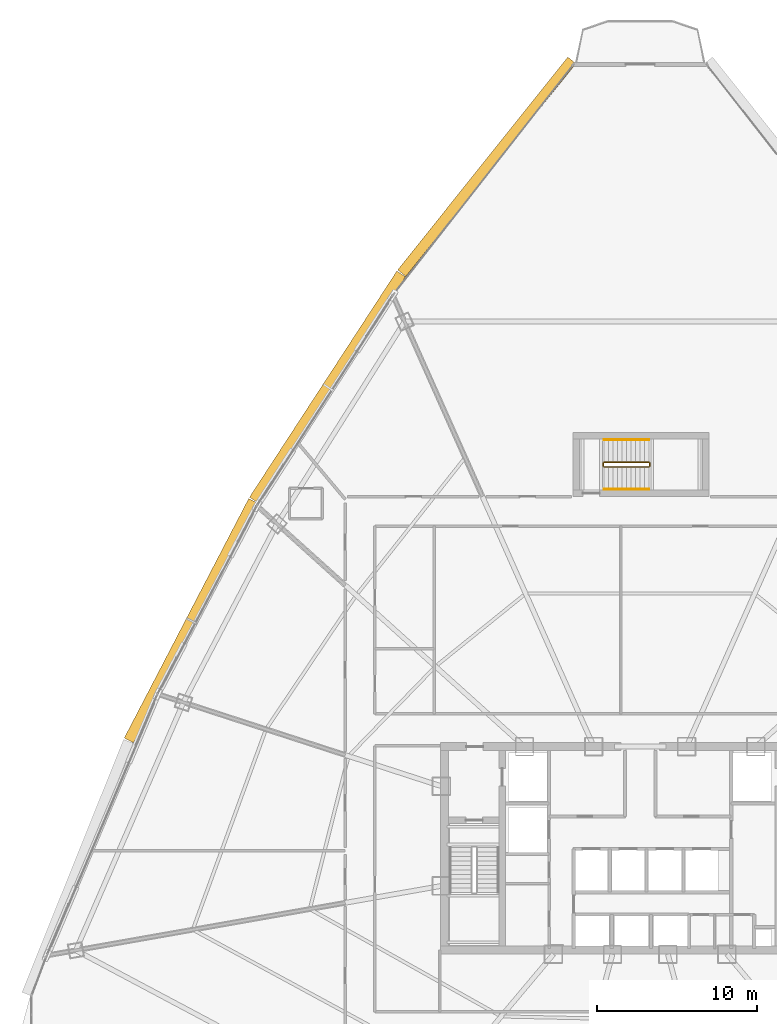
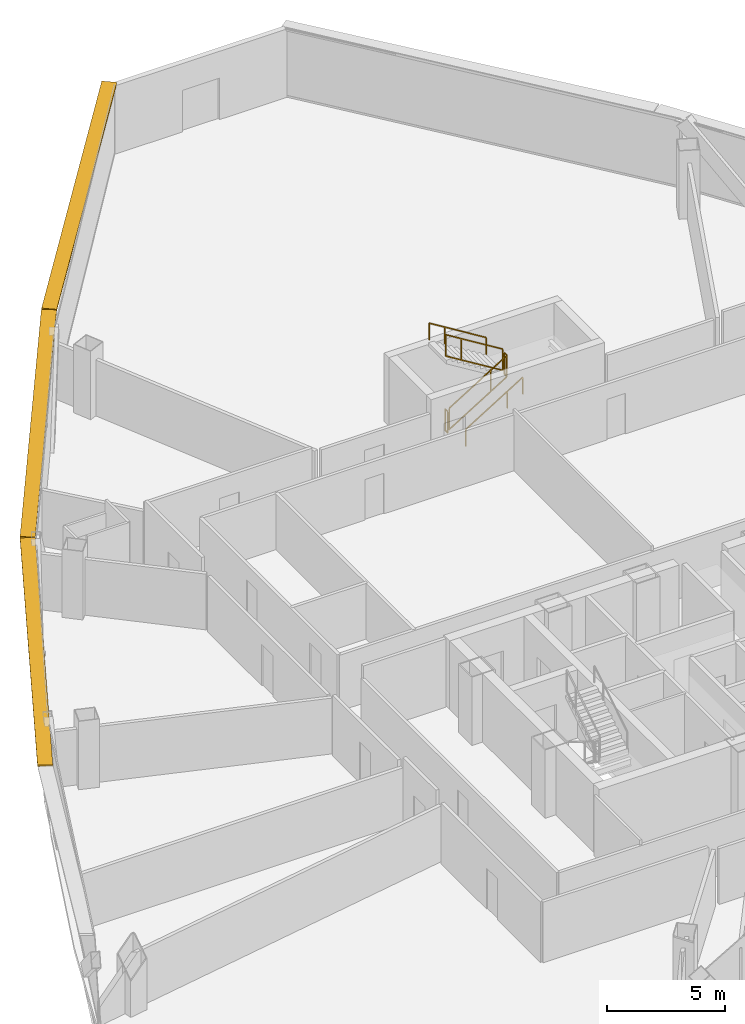
# One storey, part 37 of 38: 6 railings, 3 shading devices.
"""IFC4 building model written with IfcOpenShell, lengths in metres."""

from ifc_helpers import new_model, si_unit, direction, frame, origin, origin_2d, place, context, subcontext, project, spatial, rectangle, extrude, source, transform, mapped, material, layer, layer_set, type_object, element, save


model = new_model("IFC4")

# Units and contexts
model_context = context("Model", 3, precision=1e-05, world=origin(), true_north=direction((0.0, 1.0)))
body_context = subcontext(model_context, "Body", "Model", "MODEL_VIEW")
ifc_project = project(units=[si_unit("LENGTHUNIT", "METRE"), si_unit("AREAUNIT", "SQUARE_METRE"), si_unit("VOLUMEUNIT", "CUBIC_METRE"), si_unit("PLANEANGLEUNIT", "RADIAN"), si_unit("MASSUNIT", "GRAM", prefix="KILO"), si_unit("THERMODYNAMICTEMPERATUREUNIT", "KELVIN"), si_unit("POWERUNIT", "WATT")], contexts=[model_context])

# Site, building, storey
site_placement = place(None, origin())
site = spatial("IfcSite", under=ifc_project, at=site_placement, CompositionType="ELEMENT")
building_placement = place(site_placement, origin())
building = spatial("IfcBuilding", under=site, at=building_placement, Name="Yunzhuo Pagoda Commons", CompositionType="ELEMENT")
storey_placement = place(building_placement, frame((0.0, 0.0, 203.760009765625)))
storey = spatial("IfcBuildingStorey", under=building, at=storey_placement, Name="L51", CompositionType="ELEMENT", Elevation=203.760009765625)

# Railings
ifc_material = material(Name="Anodized aluminium 6063-T6", Category="aluminium")
railing_type_1 = type_object("IfcRailingType", Name="GR-ST3 North Well Guardrail 1155", PredefinedType="GUARDRAIL", material=ifc_material)
railing_1_placement = place(storey_placement, frame((45.75, 57.64990234375, 0.172607421875)))
element("IfcRailing", 1, at=railing_1_placement, inside=storey, type_object=railing_type_1, Name="L51 ST3 stair guard 1", PredefinedType="GUARDRAIL", context=body_context, shape_type="SweptSolid", body=[
    extrude(rectangle(XDim=0.048095703125, YDim=0.048095703125, at=origin_2d()), frame((0.0, 0.0, 1.1259765625), z_axis=(0.851089632645, 0.0, 0.525020415988), x_axis=(0.0, 1.0, 0.0)), (0.0, 0.0, 1.0), 3.2900390625),
    extrude(rectangle(XDim=0.048095703125, YDim=0.048095703125, at=origin_2d()), frame((0.0, 0.0, 0.02392578125), z_axis=(0.851089632645, 0.0, 0.525020415988), x_axis=(0.0, 1.0, 0.0)), (0.0, 0.0, 1.0), 3.2900390625),
    extrude(rectangle(XDim=0.0419921875, YDim=0.0419921875, at=origin_2d()), origin(), (0.0, 0.0, 1.0), 1.101806640625),
    extrude(rectangle(XDim=0.0419921875, YDim=0.0419921875, at=origin_2d()), frame((2.042724609375, 0.0, 1.260009765625)), (0.0, 0.0, 1.0), 1.101806640625),
    extrude(rectangle(XDim=0.0419921875, YDim=0.0419921875, at=origin_2d()), frame((2.800048828125, 0.0, 1.727294921875)), (0.0, 0.0, 1.0), 1.101806640625),
])
railing_2_placement = place(storey_placement, frame((48.60009765625, 57.699951171875, 1.89990234375)))
element("IfcRailing", 2, at=railing_2_placement, inside=storey, type_object=railing_type_1, Name="L51 ST3 stair guard 2", PredefinedType="GUARDRAIL", context=body_context, shape_type="SweptSolid", body=[
    extrude(rectangle(XDim=0.048095703125, YDim=0.048095703125, at=origin_2d()), frame((0.0, 0.0, 1.1259765625), z_axis=(0.0, 1.0, 0.0), x_axis=(-1.0, 0.0, 0.0)), (0.0, 0.0, 1.0), 0.199951171875),
    extrude(rectangle(XDim=0.048095703125, YDim=0.048095703125, at=origin_2d()), frame((0.0, 0.0, 0.02392578125), z_axis=(0.0, 1.0, 0.0), x_axis=(-1.0, 0.0, 0.0)), (0.0, 0.0, 1.0), 0.199951171875),
    extrude(rectangle(XDim=0.0419921875, YDim=0.0419921875, at=origin_2d()), origin(), (0.0, 0.0, 1.0), 1.101806640625),
    extrude(rectangle(XDim=0.0419921875, YDim=0.0419921875, at=origin_2d()), frame((0.0, 0.199951171875, 0.0)), (0.0, 0.0, 1.0), 1.101806640625),
])
railing_3_placement = place(storey_placement, frame((48.550048828125, 57.949951171875, 2.07275390625)))
element("IfcRailing", 3, at=railing_3_placement, inside=storey, type_object=railing_type_1, Name="L51 ST3 stair guard 3", PredefinedType="GUARDRAIL", context=body_context, shape_type="SweptSolid", body=[
    extrude(rectangle(XDim=0.048095703125, YDim=0.048095703125, at=origin_2d()), frame((0.0, 0.0, 1.1259765625), z_axis=(-0.851089632645, 0.0, 0.525020415988), x_axis=(0.0, -1.0, 0.0)), (0.0, 0.0, 1.0), 3.2900390625),
    extrude(rectangle(XDim=0.048095703125, YDim=0.048095703125, at=origin_2d()), frame((0.0, 0.0, 0.02392578125), z_axis=(-0.851089632645, 0.0, 0.525020415988), x_axis=(0.0, -1.0, 0.0)), (0.0, 0.0, 1.0), 3.2900390625),
    extrude(rectangle(XDim=0.0419921875, YDim=0.0419921875, at=origin_2d()), origin(), (0.0, 0.0, 1.0), 1.101806640625),
    extrude(rectangle(XDim=0.0419921875, YDim=0.0419921875, at=origin_2d()), frame((-2.042724609375, 0.0, 1.260009765625)), (0.0, 0.0, 1.0), 1.101806640625),
    extrude(rectangle(XDim=0.0419921875, YDim=0.0419921875, at=origin_2d()), frame((-2.800048828125, 0.0, 1.727294921875)), (0.0, 0.0, 1.0), 1.101806640625),
])
railing_4_placement = place(storey_placement, frame((45.699951171875, 57.699951171875, 0.0)))
element("IfcRailing", 4, at=railing_4_placement, inside=storey, type_object=railing_type_1, Name="L51 ST3 stair guard 4", PredefinedType="GUARDRAIL", context=body_context, shape_type="SweptSolid", body=[
    extrude(rectangle(XDim=0.048095703125, YDim=0.048095703125, at=origin_2d()), frame((0.0, 0.0, 1.1259765625), z_axis=(0.0, 1.0, 0.0), x_axis=(-1.0, 0.0, 0.0)), (0.0, 0.0, 1.0), 0.199951171875),
    extrude(rectangle(XDim=0.048095703125, YDim=0.048095703125, at=origin_2d()), frame((0.0, 0.0, 0.02392578125), z_axis=(0.0, 1.0, 0.0), x_axis=(-1.0, 0.0, 0.0)), (0.0, 0.0, 1.0), 0.199951171875),
    extrude(rectangle(XDim=0.0419921875, YDim=0.0419921875, at=origin_2d()), origin(), (0.0, 0.0, 1.0), 1.101806640625),
    extrude(rectangle(XDim=0.0419921875, YDim=0.0419921875, at=origin_2d()), frame((0.0, 0.199951171875, 0.0)), (0.0, 0.0, 1.0), 1.101806640625),
])
railing_type_2 = type_object("IfcRailingType", Name="HR-ST3 North Stair Handrail 900", PredefinedType="HANDRAIL", material=ifc_material)
railing_5_placement = place(storey_placement, frame((45.75, 56.25, 0.172607421875)))
element("IfcRailing", 5, at=railing_5_placement, inside=storey, type_object=railing_type_2, Name="L51 ST3 stair handrail 1", PredefinedType="HANDRAIL", context=body_context, shape_type="SweptSolid", body=[
    extrude(rectangle(XDim=0.048095703125, YDim=0.048095703125, at=origin_2d()), frame((0.0, 0.0, 0.8759765625), z_axis=(0.851089632645, 0.0, 0.525020415988), x_axis=(0.0, 1.0, 0.0)), (0.0, 0.0, 1.0), 3.2900390625),
    extrude(rectangle(XDim=0.0419921875, YDim=0.0419921875, at=origin_2d()), origin(), (0.0, 0.0, 1.0), 0.851806640625),
    extrude(rectangle(XDim=0.0419921875, YDim=0.0419921875, at=origin_2d()), frame((2.042724609375, 0.0, 1.260009765625)), (0.0, 0.0, 1.0), 0.851806640625),
    extrude(rectangle(XDim=0.0419921875, YDim=0.0419921875, at=origin_2d()), frame((2.800048828125, 0.0, 1.727294921875)), (0.0, 0.0, 1.0), 0.851806640625),
])
railing_6_placement = place(storey_placement, frame((48.550048828125, 59.35009765625, 2.07275390625)))
element("IfcRailing", 6, at=railing_6_placement, inside=storey, type_object=railing_type_2, Name="L51 ST3 stair handrail 2", PredefinedType="HANDRAIL", context=body_context, shape_type="SweptSolid", body=[
    extrude(rectangle(XDim=0.048095703125, YDim=0.048095703125, at=origin_2d()), frame((0.0, 0.0, 0.8759765625), z_axis=(-0.851089632645, 0.0, 0.525020415988), x_axis=(0.0, -1.0, 0.0)), (0.0, 0.0, 1.0), 3.2900390625),
    extrude(rectangle(XDim=0.0419921875, YDim=0.0419921875, at=origin_2d()), origin(), (0.0, 0.0, 1.0), 0.851806640625),
    extrude(rectangle(XDim=0.0419921875, YDim=0.0419921875, at=origin_2d()), frame((-2.042724609375, 0.0, 1.260009765625)), (0.0, 0.0, 1.0), 0.851806640625),
    extrude(rectangle(XDim=0.0419921875, YDim=0.0419921875, at=origin_2d()), frame((-2.800048828125, 0.0, 1.727294921875)), (0.0, 0.0, 1.0), 0.851806640625),
])

# Shading devices
ifc_layer = layer(ifc_material, 0.080078125)
ifc_layer_set = layer_set([ifc_layer], Name="Anodized aluminium 6063-T6")
shading_device_type = type_object("IfcShadingDeviceType", Name="SH-SUN1 Pagoda Horizontal Sunshade Eave 650", PredefinedType="USERDEFINED", material=ifc_layer_set)
shared_shape_1 = source(origin(), body_context, "Body", "SweptSolid", [
    extrude(rectangle(XDim=16.99755859375, YDim=0.64990234375, at=origin_2d()), origin(), (0.0, 0.0, 1.0), 0.080078125),
])
shading_device_placement = place(storey_placement, frame((38.4326171875, 76.37890625, 3.4599609375), z_axis=(0.0, 0.0, 1.0), x_axis=(-0.624520471688, -0.781008438138, 0.0)))
element("IfcShadingDevice", 7, at=shading_device_placement, inside=storey, type_object=shading_device_type, Name="L51 horizontal pagoda sunshade eave F3.1", ObjectType="SUNSHADE", PredefinedType="USERDEFINED", context=body_context, shape_type="MappedRepresentation", body=[
    mapped(shared_shape_1, transform((0.0, 0.0, 0.0), scale=1.0)),
])
shared_shape_2 = source(origin(), body_context, "Body", "SweptSolid", [
    extrude(rectangle(XDim=16.836181640625, YDim=0.64990234375, at=origin_2d()), origin(), (0.0, 0.0, 1.0), 0.080078125),
])
for number, where, z_axis, x_axis, name in (
    (8, (28.492919921875, 62.63671875, 3.4599609375), (0.0, 0.0, 1.0), (-0.545838756973, -0.837890238269, 0.0), "L51 horizontal pagoda sunshade eave F3.2"),
    (9, (19.9833984375, 48.05908203125, 3.4599609375), (0.0, 0.0, 1.0), (-0.461206683033, -0.88729273384, 0.0), "L51 horizontal pagoda sunshade eave F3.3"),
):
    element("IfcShadingDevice", number, at=place(storey_placement, frame(where, z_axis=z_axis, x_axis=x_axis)), inside=storey, type_object=shading_device_type, Name=name, ObjectType="SUNSHADE", PredefinedType="USERDEFINED", context=body_context, shape_type="MappedRepresentation", body=[
        mapped(shared_shape_2, transform((0.0, 0.0, 0.0), scale=1.0)),
    ])

save(model, "model.ifc")
